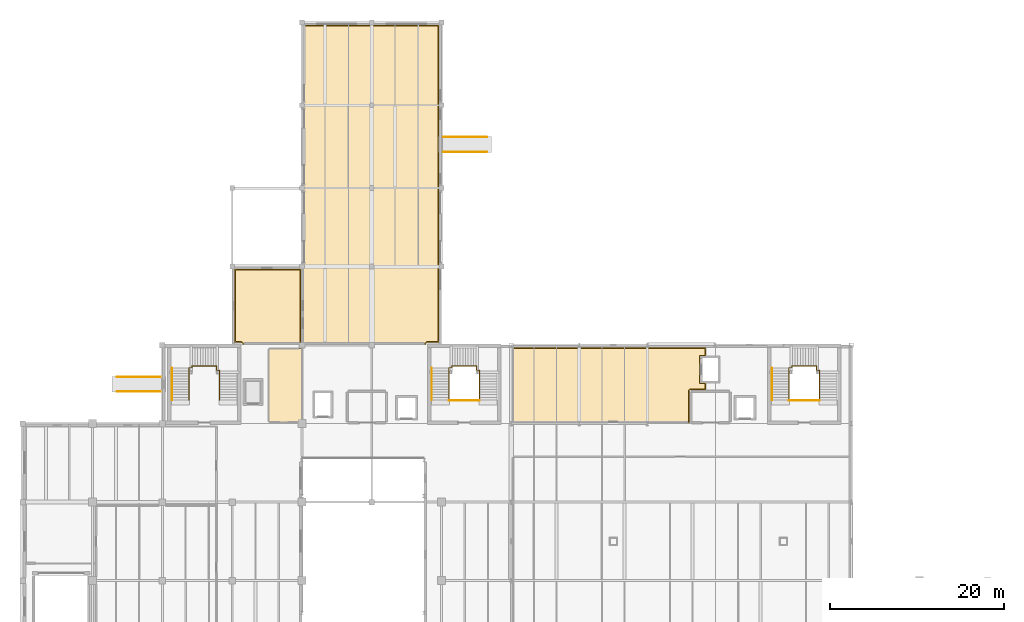
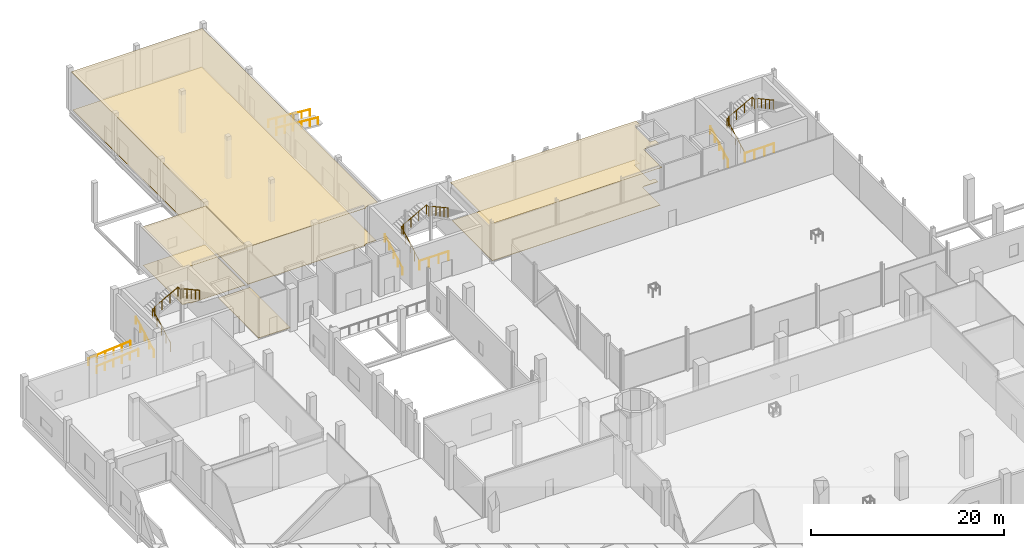
# One storey, part 55 of 57: 12 railings, 7 coverings.
"""IFC4 building model written with IfcOpenShell, lengths in metres."""

import ifcopenshell
import ifcopenshell.guid

model = None  # the IFC model being written
_history = None  # IfcOwnerHistory: only IFC2X3 demands one
_inside = {}  # id of a spatial element -> (the spatial element, [elements in it])
_under = {}  # id of a project, library or spatial element -> (it, [spatial elements below it])
_declared = {}  # id of a project -> (the project, [libraries it declares])
_typed = {}  # id of a type object -> (the type object, [elements of that type])
_made_of = {}  # id of a material, layer set ... -> (it, [elements and type objects made of it])


def new_model(schema):
    """Start an empty IFC model of exactly this schema.

    Asked for "IFC4X3", IfcOpenShell would pick the latest addendum, in which some entities
    have other attributes; the version numbers below select the first issue.
    IFC2X3 requires an IfcOwnerHistory on every rooted entity: one is made here for all.
    """
    global model, _history
    if schema == "IFC4X3":
        model = ifcopenshell.file(schema_version=(4, 3, 0, 0))
    else:
        model = ifcopenshell.file(schema=schema)
    _inside.clear()
    _under.clear()
    _declared.clear()
    _typed.clear()
    _made_of.clear()
    _history = None
    if model.schema == "IFC2X3":
        org = make("IfcOrganization", Name="unknown")
        user = make(
            "IfcPersonAndOrganization",
            ThePerson=make("IfcPerson", FamilyName="unknown"),
            TheOrganization=org,
        )
        app = make(
            "IfcApplication",
            ApplicationDeveloper=org,
            Version="unknown",
            ApplicationFullName="unknown",
            ApplicationIdentifier="unknown",
        )
        _history = make(
            "IfcOwnerHistory",
            OwningUser=user,
            OwningApplication=app,
            ChangeAction="ADDED",
            CreationDate=0,
        )
    return model


def make(cls, **values):
    """One entity of the class cls with the attributes given. An attribute that is None is left unset."""
    return model.create_entity(
        cls, **{name: value for name, value in values.items() if value is not None}
    )


def rooted(cls, **values):
    """An entity with a GlobalId (a new one), such as an element, a storey or a relation."""
    return make(cls, GlobalId=ifcopenshell.guid.new(), OwnerHistory=_history, **values)


def si_unit(unit_type, name, prefix=None):
    """IfcSIUnit, for example si_unit("LENGTHUNIT", "METRE", prefix="MILLI")."""
    return make("IfcSIUnit", UnitType=unit_type, Prefix=prefix, Name=name)


def derived_unit(unit_type, elements):
    """IfcDerivedUnit: a product of units, each with its exponent."""
    return make(
        "IfcDerivedUnit",
        Elements=[
            make("IfcDerivedUnitElement", Unit=unit, Exponent=power)
            for unit, power in elements
        ],
        UnitType=unit_type,
    )


def assignment(units):
    """IfcUnitAssignment: the units of a project."""
    return None if units is None else make("IfcUnitAssignment", Units=units)


def point(xyz):
    """IfcCartesianPoint."""
    return None if xyz is None else make("IfcCartesianPoint", Coordinates=xyz)


def direction(xyz):
    """IfcDirection."""
    return None if xyz is None else make("IfcDirection", DirectionRatios=xyz)


def frame(location, z_axis=None, x_axis=None):
    """IfcAxis2Placement3D, a coordinate frame: its origin and axes. An axis left out is left unset."""
    return make(
        "IfcAxis2Placement3D",
        Location=point(location),
        Axis=direction(z_axis),
        RefDirection=direction(x_axis),
    )


def frame_2d(location, x_axis=None):
    """IfcAxis2Placement2D, a coordinate frame in the plane: its origin and x axis."""
    return make(
        "IfcAxis2Placement2D", Location=point(location), RefDirection=direction(x_axis)
    )


def origin():
    """The frame at (0, 0, 0) with its axes left unset."""
    return frame((0.0, 0.0, 0.0))


def origin_2d():
    """The frame at (0, 0) in the plane with its x axis left unset."""
    return frame_2d((0.0, 0.0))


def place(relative_to, where):
    """IfcLocalPlacement: puts the frame where relative to a parent placement (None: the world)."""
    return make(
        "IfcLocalPlacement", PlacementRelTo=relative_to, RelativePlacement=where
    )


def context(
    kind, dimensions, precision=None, world=None, true_north=None, identifier=None
):
    """IfcGeometricRepresentationContext, for example the 3D "Model" context."""
    return make(
        "IfcGeometricRepresentationContext",
        ContextIdentifier=identifier,
        ContextType=kind,
        CoordinateSpaceDimension=dimensions,
        Precision=precision,
        WorldCoordinateSystem=world,
        TrueNorth=true_north,
    )


def subcontext(parent, identifier, kind, view, scale=None):
    """IfcGeometricRepresentationSubContext, for example "Body" below "Model"."""
    return make(
        "IfcGeometricRepresentationSubContext",
        ContextIdentifier=identifier,
        ContextType=kind,
        ParentContext=parent,
        TargetScale=scale,
        TargetView=view,
    )


def project(units=None, contexts=None):
    """IfcProject with its units and contexts."""
    return rooted(
        "IfcProject",
        Name="project",
        RepresentationContexts=contexts,
        UnitsInContext=assignment(units),
    )


def spatial(cls, under=None, at=None, **own):
    """A site, building, storey or space (cls), placed at a placement, below another one or the project."""
    s = rooted(cls, ObjectPlacement=at, **own)
    if under is not None:
        _under.setdefault(under.id(), (under, []))[1].append(s)
    return s


def polyline(points):
    """IfcPolyline through the points."""
    return make("IfcPolyline", Points=[point(p) for p in points])


def profile(cls, at=None, kind="AREA", **sizes):
    """A parametric profile (cls). Its sizes go by their IFC names, for example OverallWidth=200.0."""
    return make(cls, ProfileType=kind, Position=at, **sizes)


def circle(**sizes):
    """IfcCircleProfileDef."""
    return profile("IfcCircleProfileDef", **sizes)


def outline(outer, holes=None, kind="AREA"):
    """IfcArbitraryClosedProfileDef: a profile drawn as a closed curve; with holes, ...WithVoids."""
    if holes is None:
        return make("IfcArbitraryClosedProfileDef", ProfileType=kind, OuterCurve=outer)
    return make(
        "IfcArbitraryProfileDefWithVoids",
        ProfileType=kind,
        OuterCurve=outer,
        InnerCurves=holes,
    )


def extrude(swept, where, along, depth):
    """IfcExtrudedAreaSolid: the profile swept, set in the frame where, extruded along a direction by depth."""
    return make(
        "IfcExtrudedAreaSolid",
        SweptArea=swept,
        Position=where,
        ExtrudedDirection=direction(along),
        Depth=depth,
    )


def shape(context_of_items, identifier, shape_type, items):
    """IfcShapeRepresentation: the items that make up one representation, for example the "Body"."""
    return make(
        "IfcShapeRepresentation",
        ContextOfItems=context_of_items,
        RepresentationIdentifier=identifier,
        RepresentationType=shape_type,
        Items=items,
    )


def material(Name=None, Category=None):
    """IfcMaterial."""
    return make("IfcMaterial", Name=Name, Category=Category)


def layer(
    of_material, thickness, ventilated=None, Name=None, Category=None, Priority=None
):
    """IfcMaterialLayer: one layer of a wall or slab, of a material (None: an air gap)."""
    return make(
        "IfcMaterialLayer",
        Material=of_material,
        LayerThickness=thickness,
        IsVentilated=ventilated,
        Name=Name,
        Category=Category,
        Priority=Priority,
    )


def layer_set(layers, Name=None):
    """IfcMaterialLayerSet."""
    return make("IfcMaterialLayerSet", MaterialLayers=layers, LayerSetName=Name)


def made_of(thing, what):
    """Note that an element or type object is made of a material, layer set ...; save() writes the relation."""
    if what is not None:
        _made_of.setdefault(what.id(), (what, []))[1].append(thing)
    return thing


def type_object(cls, material=None, **own):
    """A type object (cls), such as IfcWallType, which elements share."""
    return made_of(rooted(cls, **own), material)


def element(
    cls,
    number,
    at=None,
    inside=None,
    cuts=None,
    type_object=None,
    material=None,
    context=None,
    identifier="Body",
    shape_type=None,
    held_by="IfcProductDefinitionShape",
    body=None,
    shapes=None,
    **own,
):
    """One element of the class cls, such as IfcWall. Its Tag is "e" and its number.

    at: its placement. inside: the storey or other place that contains it. cuts: it is an
    opening in that element (IfcRelVoidsElement). A single representation is given by context,
    identifier, shape_type and body (its items); several are given by shapes. held_by: the class
    of the entity that holds the representations. save() writes the other relations.
    """
    e = rooted(cls, Tag="e%d" % number, ObjectPlacement=at, **own)
    if body is not None:
        shapes = [shape(context, identifier, shape_type, body)]
    if shapes is not None:
        e.Representation = make(held_by, Representations=shapes)
    if inside is not None:
        _inside.setdefault(inside.id(), (inside, []))[1].append(e)
    if cuts is not None:
        rooted(
            "IfcRelVoidsElement", RelatingBuildingElement=cuts, RelatedOpeningElement=e
        )
    if type_object is not None:
        _typed.setdefault(type_object.id(), (type_object, []))[1].append(e)
    return made_of(e, material)


def aggregate(whole, parts):
    """IfcRelAggregates: a whole, such as a stair, and the parts it consists of."""
    return rooted("IfcRelAggregates", RelatingObject=whole, RelatedObjects=parts)


def save(model, path):
    """Write the relations noted so far, then the file.

    IfcRelAggregates (storeys below a building ...), IfcRelContainedInSpatialStructure (elements
    in a storey), IfcRelDefinesByType, IfcRelAssociatesMaterial and IfcRelDeclares: one each for
    every whole, place, type object, material and project.
    """
    for whole, parts in _under.values():
        aggregate(whole, parts)
    for where, things in _inside.values():
        rooted(
            "IfcRelContainedInSpatialStructure",
            RelatedElements=things,
            RelatingStructure=where,
        )
    for kind, things in _typed.values():
        rooted("IfcRelDefinesByType", RelatedObjects=things, RelatingType=kind)
    for what, things in _made_of.values():
        rooted("IfcRelAssociatesMaterial", RelatedObjects=things, RelatingMaterial=what)
    for by, libraries in _declared.values():
        rooted("IfcRelDeclares", RelatingContext=by, RelatedDefinitions=libraries)
    model.write(path)


model = new_model("IFC4")

# Units and contexts
model_context = context("Model", 3, precision=1e-05, world=origin(), true_north=direction((0.0, 1.0)))
body_context = subcontext(model_context, "Body", "Model", "MODEL_VIEW")
ifc_project = project(units=[si_unit("LENGTHUNIT", "METRE"), si_unit("AREAUNIT", "SQUARE_METRE"), si_unit("VOLUMEUNIT", "CUBIC_METRE"), si_unit("PLANEANGLEUNIT", "RADIAN"), si_unit("MASSUNIT", "GRAM", prefix="KILO"), derived_unit("THERMALTRANSMITTANCEUNIT", [(si_unit("POWERUNIT", "WATT"), 1), (si_unit("LENGTHUNIT", "METRE"), -2), (si_unit("THERMODYNAMICTEMPERATUREUNIT", "KELVIN"), -1)])], contexts=[model_context])

# Site, building, storey
site_placement = place(None, origin())
site = spatial("IfcSite", under=ifc_project, at=site_placement, CompositionType="ELEMENT")
building_placement = place(site_placement, origin())
building = spatial("IfcBuilding", under=site, at=building_placement, Name="Nallur Shell Playhouse", CompositionType="ELEMENT")
storey_placement = place(building_placement, origin())
storey = spatial("IfcBuildingStorey", under=building, at=storey_placement, Name="L01", CompositionType="ELEMENT", Elevation=0.0)

# Coverings
ifc_material_1 = material(Name="Micro-Perforated Teak Veneer Acoustic Baffle Ceiling")
ifc_layer_1 = layer(ifc_material_1, 0.044921875)
ifc_layer_set_1 = layer_set([ifc_layer_1], Name="Micro-Perforated Teak Veneer Acoustic Baffle Ceiling")
covering_type_1 = type_object("IfcCoveringType", Name="CV-CEIL-AC1", PredefinedType="CEILING", material=ifc_layer_set_1)
covering_1_placement = place(storey_placement, frame((0.0, 0.0, 4.804931640625)))
element("IfcCovering", 1, at=covering_1_placement, inside=storey, type_object=covering_type_1, Name="Carpentry & Timber Mill Workshop suspended acoustic ceiling", PredefinedType="CEILING", context=body_context, shape_type="SweptSolid", body=[
    extrude(outline(polyline([(54.3291015625, 83.276123046875), (54.324951171875, 83.2744140625), (54.312255859375, 83.268310546875), (54.308349609375, 83.266357421875), (54.29638671875, 83.25927734375), (54.292724609375, 83.2568359375), (54.28125, 83.248046875), (54.277587890625, 83.2451171875), (54.26708984375, 83.23583984375), (54.26416015625, 83.23291015625), (54.2548828125, 83.222412109375), (54.251953125, 83.21875), (54.2431640625, 83.207275390625), (54.24072265625, 83.20361328125), (54.233642578125, 83.191650390625), (54.231689453125, 83.187744140625), (54.2255859375, 83.175048828125), (54.223876953125, 83.170654296875), (54.194580078125, 83.090087890625), (39.989990234375, 83.090087890625), (39.989990234375, 91.9443359375), (40.023193359375, 91.98095703125), (40.02490234375, 91.983642578125), (40.0263671875, 91.98583984375), (40.027587890625, 91.988525390625), (40.028564453125, 91.991455078125), (40.029296875, 91.993896484375), (40.02978515625, 91.9970703125), (40.030029296875, 92.002685546875), (40.030029296875, 119.7099609375), (55.7099609375, 119.7099609375), (55.7099609375, 83.2900390625), (54.401123046875, 83.2900390625), (54.39892578125, 83.2900390625), (54.38330078125, 83.289306640625), (54.37890625, 83.288818359375), (54.364990234375, 83.28662109375), (54.36083984375, 83.285888671875), (54.347412109375, 83.282470703125), (54.34326171875, 83.281005859375), (54.3291015625, 83.276123046875)])), origin(), (0.0, 0.0, 1.0), 0.045166015625),
])
ifc_material_2 = material(Name="Mineral-Fibre High-NRC Suspended Ceiling Tile")
ifc_layer_2 = layer(ifc_material_2, 0.030029296875)
ifc_layer_set_2 = layer_set([ifc_layer_2], Name="Mineral-Fibre High-NRC Suspended Ceiling Tile")
covering_type_2 = type_object("IfcCoveringType", Name="CV-CEIL-AC2", PredefinedType="CEILING", material=ifc_layer_set_2)
covering_2_placement = place(storey_placement, frame((0.0, 0.0, 4.820068359375)))
element("IfcCovering", 2, at=covering_2_placement, inside=storey, type_object=covering_type_2, Name="Double-Height Scenery Assembly Hall suspended acoustic ceiling", PredefinedType="CEILING", context=body_context, shape_type="SweptSolid", body=[
    extrude(outline(polyline([(84.59912109375, 77.8701171875), (84.585205078125, 77.869384765625), (84.580810546875, 77.868896484375), (84.569580078125, 77.8671875), (84.56494140625, 77.8662109375), (84.552978515625, 77.86328125), (84.548583984375, 77.86181640625), (84.537109375, 77.85791015625), (84.533447265625, 77.856201171875), (84.521728515625, 77.850830078125), (84.517822265625, 77.8486328125), (84.50732421875, 77.84228515625), (84.50341796875, 77.83984375), (84.494384765625, 77.8330078125), (84.490966796875, 77.830078125), (84.4814453125, 77.821533203125), (84.478515625, 77.818603515625), (84.4697265625, 77.80908203125), (84.466796875, 77.8056640625), (84.460205078125, 77.796630859375), (84.457763671875, 77.792724609375), (84.451416015625, 77.7822265625), (84.44921875, 77.7783203125), (84.443603515625, 77.7666015625), (84.442138671875, 77.7626953125), (84.43798828125, 77.75146484375), (84.436767578125, 77.7470703125), (84.433837890625, 77.735107421875), (84.432861328125, 77.73046875), (84.43115234375, 77.71923828125), (84.4306640625, 77.714599609375), (84.429931640625, 77.700927734375), (84.429931640625, 77.698974609375), (84.429931640625, 74.090087890625), (64.090087890625, 74.090087890625), (64.090087890625, 82.7099609375), (86.31005859375, 82.7099609375), (86.31005859375, 81.7099609375), (85.68994140625, 81.7099609375), (85.68994140625, 78.68994140625), (86.31005859375, 78.68994140625), (86.31005859375, 77.8701171875), (84.60107421875, 77.8701171875), (84.59912109375, 77.8701171875)])), origin(), (0.0, 0.0, 1.0), 0.030029296875),
])
covering_3_placement = place(storey_placement, frame((0.0, 0.0, 4.820068359375)))
element("IfcCovering", 3, at=covering_3_placement, inside=storey, type_object=covering_type_2, Name="Scenic Paint Frame & Spray Booth Hall suspended acoustic ceiling", PredefinedType="CEILING", context=body_context, shape_type="SweptSolid", body=[
    extrude(outline(polyline([(33.15673828125, 83.207275390625), (33.148193359375, 83.21875), (33.145263671875, 83.222412109375), (33.1357421875, 83.23291015625), (33.1328125, 83.23583984375), (33.122314453125, 83.2451171875), (33.11865234375, 83.248046875), (33.107177734375, 83.2568359375), (33.103515625, 83.25927734375), (33.091552734375, 83.266357421875), (33.087646484375, 83.268310546875), (33.074951171875, 83.2744140625), (33.071044921875, 83.276123046875), (33.056884765625, 83.281005859375), (33.052490234375, 83.282470703125), (33.039306640625, 83.285888671875), (33.034912109375, 83.28662109375), (33.02099609375, 83.288818359375), (33.0166015625, 83.289306640625), (33.0009765625, 83.2900390625), (32.998779296875, 83.2900390625), (32.2900390625, 83.2900390625), (32.2900390625, 91.7099609375), (39.909912109375, 91.7099609375), (39.909912109375, 83.090087890625), (33.20556640625, 83.090087890625), (33.17626953125, 83.170654296875), (33.174560546875, 83.175048828125), (33.16845703125, 83.187744140625), (33.16650390625, 83.191650390625), (33.1591796875, 83.20361328125), (33.15673828125, 83.207275390625)])), origin(), (0.0, 0.0, 1.0), 0.030029296875),
])
ifc_material_3 = material(Name="Polished Chettinad Oxide & White Marble Terrazzo Flooring", Category="masonry")
ifc_layer_3 = layer(ifc_material_3, 0.050048828125)
ifc_layer_set_3 = layer_set([ifc_layer_3], Name="Polished Chettinad Oxide & White Marble Terrazzo Flooring")
covering_type_3 = type_object("IfcCoveringType", Name="CV-FLOR-TERRAZZO", PredefinedType="FLOORING", material=ifc_layer_set_3)
covering_4_placement = place(storey_placement, origin())
element("IfcCovering", 4, at=covering_4_placement, inside=storey, type_object=covering_type_3, Name="Double-Height Scenery Assembly Hall floor finish", PredefinedType="FLOORING", context=body_context, shape_type="SweptSolid", body=[
    extrude(outline(polyline([(85.6328125, 81.80810546875), (85.62451171875, 81.802978515625), (85.61669921875, 81.79736328125), (85.609375, 81.790771484375), (85.602783203125, 81.783447265625), (85.596923828125, 81.775634765625), (85.591796875, 81.76708984375), (85.587646484375, 81.75830078125), (85.584228515625, 81.7490234375), (85.581787109375, 81.739501953125), (85.58056640625, 81.729736328125), (85.580078125, 81.719970703125), (85.580078125, 78.679931640625), (85.58056640625, 78.670166015625), (85.581787109375, 78.660400390625), (85.584228515625, 78.65087890625), (85.587646484375, 78.6416015625), (85.591796875, 78.6328125), (85.596923828125, 78.62451171875), (85.602783203125, 78.61669921875), (85.609375, 78.609375), (85.61669921875, 78.602783203125), (85.62451171875, 78.596923828125), (85.6328125, 78.591796875), (85.6416015625, 78.587646484375), (85.65087890625, 78.584228515625), (85.660400390625, 78.581787109375), (85.670166015625, 78.58056640625), (85.679931640625, 78.580078125), (86.199951171875, 78.580078125), (86.199951171875, 77.97998046875), (84.60009765625, 77.97998046875), (84.59521484375, 77.97998046875), (84.577392578125, 77.97900390625), (84.567626953125, 77.97802734375), (84.55029296875, 77.9755859375), (84.54052734375, 77.973388671875), (84.5234375, 77.96923828125), (84.51416015625, 77.96630859375), (84.497314453125, 77.96044921875), (84.48828125, 77.956787109375), (84.472412109375, 77.94921875), (84.463623046875, 77.944580078125), (84.448486328125, 77.935302734375), (84.4404296875, 77.929931640625), (84.42626953125, 77.91943359375), (84.418701171875, 77.9130859375), (84.405517578125, 77.9013671875), (84.398681640625, 77.894287109375), (84.38671875, 77.88134765625), (84.380615234375, 77.873779296875), (84.3701171875, 77.859619140625), (84.364501953125, 77.851318359375), (84.35546875, 77.836181640625), (84.350830078125, 77.82763671875), (84.34326171875, 77.8115234375), (84.339599609375, 77.802490234375), (84.33349609375, 77.785888671875), (84.330810546875, 77.776611328125), (84.326416015625, 77.759521484375), (84.324462890625, 77.749755859375), (84.322021484375, 77.732421875), (84.321044921875, 77.722412109375), (84.320068359375, 77.704833984375), (84.320068359375, 77.699951171875), (84.320068359375, 74.199951171875), (64.199951171875, 74.199951171875), (64.199951171875, 82.60009765625), (86.199951171875, 82.60009765625), (86.199951171875, 81.820068359375), (85.679931640625, 81.820068359375), (85.670166015625, 81.819580078125), (85.660400390625, 81.818115234375), (85.65087890625, 81.815673828125), (85.6416015625, 81.8125), (85.6328125, 81.80810546875)])), origin(), (0.0, 0.0, 1.0), 0.050048828125),
])
covering_5_placement = place(storey_placement, origin())
element("IfcCovering", 5, at=covering_5_placement, inside=storey, type_object=covering_type_3, Name="Carpentry & Timber Mill Workshop floor finish", PredefinedType="FLOORING", context=body_context, shape_type="SweptSolid", body=[
    extrude(outline(polyline([(54.289794921875, 83.37890625), (54.28076171875, 83.375244140625), (54.262939453125, 83.36669921875), (54.25439453125, 83.3623046875), (54.237548828125, 83.35205078125), (54.229248046875, 83.3466796875), (54.213623046875, 83.3349609375), (54.2060546875, 83.32861328125), (54.19140625, 83.3154296875), (54.1845703125, 83.30859375), (54.17138671875, 83.2939453125), (54.1650390625, 83.286376953125), (54.1533203125, 83.270751953125), (54.14794921875, 83.262451171875), (54.1376953125, 83.24560546875), (54.13330078125, 83.237060546875), (54.124755859375, 83.21923828125), (54.12109375, 83.210205078125), (54.117431640625, 83.199951171875), (40.10009765625, 83.199951171875), (40.10009765625, 91.902099609375), (40.108154296875, 91.9111328125), (40.116455078125, 91.922119140625), (40.12353515625, 91.93408203125), (40.12939453125, 91.9462890625), (40.134033203125, 91.95947265625), (40.13720703125, 91.97265625), (40.139404296875, 91.986328125), (40.139892578125, 92.0), (40.139892578125, 119.60009765625), (55.60009765625, 119.60009765625), (55.60009765625, 83.39990234375), (54.39990234375, 83.39990234375), (54.39501953125, 83.39990234375), (54.37548828125, 83.39892578125), (54.36572265625, 83.39794921875), (54.34619140625, 83.39501953125), (54.336669921875, 83.393310546875), (54.317626953125, 83.388427734375), (54.308349609375, 83.385498046875), (54.289794921875, 83.37890625)])), origin(), (0.0, 0.0, 1.0), 0.050048828125),
])
covering_6_placement = place(storey_placement, origin())
element("IfcCovering", 6, at=covering_6_placement, inside=storey, type_object=covering_type_3, Name="Scenic Paint Frame & Spray Booth Hall floor finish", PredefinedType="FLOORING", context=body_context, shape_type="SweptSolid", body=[
    extrude(outline(polyline([(33.24658203125, 83.270751953125), (33.23486328125, 83.286376953125), (33.228759765625, 83.2939453125), (33.215576171875, 83.30859375), (33.20849609375, 83.3154296875), (33.194091796875, 83.32861328125), (33.186279296875, 83.3349609375), (33.170654296875, 83.3466796875), (33.16259765625, 83.35205078125), (33.145751953125, 83.3623046875), (33.136962890625, 83.36669921875), (33.119384765625, 83.375244140625), (33.110107421875, 83.37890625), (33.091796875, 83.385498046875), (33.08251953125, 83.388427734375), (33.063232421875, 83.393310546875), (33.0537109375, 83.39501953125), (33.0341796875, 83.39794921875), (33.0244140625, 83.39892578125), (33.0048828125, 83.39990234375), (33.0, 83.39990234375), (32.39990234375, 83.39990234375), (32.39990234375, 91.60009765625), (39.800048828125, 91.60009765625), (39.800048828125, 83.199951171875), (33.28271484375, 83.199951171875), (33.27880859375, 83.210205078125), (33.275146484375, 83.21923828125), (33.266845703125, 83.237060546875), (33.26220703125, 83.24560546875), (33.252197265625, 83.262451171875), (33.24658203125, 83.270751953125)])), origin(), (0.0, 0.0, 1.0), 0.050048828125),
])
covering_7_placement = place(storey_placement, origin())
element("IfcCovering", 7, at=covering_7_placement, inside=storey, type_object=covering_type_3, Name="Backstage Crew Restrooms & Showers floor finish", PredefinedType="FLOORING", context=body_context, shape_type="SweptSolid", body=[
    extrude(outline(polyline([(40.0, 74.199951171875), (36.199951171875, 74.199951171875), (36.199951171875, 82.60009765625), (40.0, 82.60009765625), (40.0, 74.199951171875)])), origin(), (0.0, 0.0, 1.0), 0.050048828125),
])

# Railings
ifc_material_4 = material(Name="Brushed Stainless Steel 316 Balustrade & Toughened Infill", Category="steel")
railing_type_1 = type_object("IfcRailingType", Name="RL-GUARD-1100", PredefinedType="BALUSTRADE", material=ifc_material_4)
railing_1_placement = place(storey_placement, frame((56.860107421875, 76.699951171875, 0.0)))
element("IfcRailing", 8, at=railing_1_placement, inside=storey, type_object=railing_type_1, Name="Stair ST-03-L01 inner open-well guard", PredefinedType="BALUSTRADE", context=body_context, shape_type="SweptSolid", body=[
    extrude(circle(Radius=0.02392578125, at=origin_2d()), frame((0.0, 0.0, 1.15576171875), z_axis=(0.0, 0.879145147203, 0.476554099919), x_axis=(-1.0, 0.0, 0.0)), (0.0, 0.0, 1.0), 4.20849609375),
    extrude(circle(Radius=0.02392578125, at=origin_2d()), frame((0.0, 3.699951171875, 3.16162109375), z_axis=(1.0, 0.0, 0.0), x_axis=(0.0, 1.0, 0.0)), (0.0, 0.0, 1.0), 0.327392578125),
    extrude(circle(Radius=0.02392578125, at=origin_2d()), frame((0.327392578125, 3.699951171875, 3.16162109375), z_axis=(0.0, 1.0, 0.0), x_axis=(-1.0, 0.0, 0.0)), (0.0, 0.0, 1.0), 0.2001953125),
    extrude(circle(Radius=0.02392578125, at=origin_2d()), frame((0.327392578125, 3.900146484375, 3.16162109375), z_axis=(0.877622962151, 0.0, 0.479351579016), x_axis=(0.0, 1.0, 0.0)), (0.0, 0.0, 1.0), 3.21875),
    extrude(circle(Radius=0.02392578125, at=origin_2d()), frame((3.15234375, 3.900146484375, 4.70458984375), z_axis=(0.0, -1.0, 0.0), x_axis=(1.0, 0.0, 0.0)), (0.0, 0.0, 1.0), 0.505126953125),
    extrude(circle(Radius=0.02392578125, at=origin_2d()), frame((3.15234375, 3.39501953125, 4.70458984375), z_axis=(1.0, 0.0, 0.0), x_axis=(0.0, 1.0, 0.0)), (0.0, 0.0, 1.0), 0.32763671875),
    extrude(circle(Radius=0.02392578125, at=origin_2d()), frame((3.47998046875, 3.39501953125, 4.70458984375), z_axis=(0.0, -0.877951061209, 0.478750388117), x_axis=(1.0, 0.0, 0.0)), (0.0, 0.0, 1.0), 3.866943359375),
    extrude(circle(Radius=0.02099609375, at=origin_2d()), origin(), (0.0, 0.0, 1.0), 1.1318359375),
    extrude(circle(Radius=0.02099609375, at=origin_2d()), frame((0.0, 0.925048828125, 0.50146484375)), (0.0, 0.0, 1.0), 1.1318359375),
    extrude(circle(Radius=0.02099609375, at=origin_2d()), frame((0.0, 1.85009765625, 1.0029296875)), (0.0, 0.0, 1.0), 1.1318359375),
    extrude(circle(Radius=0.02099609375, at=origin_2d()), frame((0.0, 2.77490234375, 1.504150390625)), (0.0, 0.0, 1.0), 1.1318359375),
    extrude(circle(Radius=0.02099609375, at=origin_2d()), frame((0.0, 3.699951171875, 2.005615234375)), (0.0, 0.0, 1.0), 1.1318359375),
    extrude(circle(Radius=0.02099609375, at=origin_2d()), frame((0.327392578125, 3.699951171875, 2.005615234375)), (0.0, 0.0, 1.0), 1.1318359375),
    extrude(circle(Radius=0.02099609375, at=origin_2d()), frame((0.327392578125, 3.900146484375, 2.005615234375)), (0.0, 0.0, 1.0), 1.1318359375),
    extrude(circle(Radius=0.02099609375, at=origin_2d()), frame((1.26904296875, 3.900146484375, 2.52001953125)), (0.0, 0.0, 1.0), 1.1318359375),
    extrude(circle(Radius=0.02099609375, at=origin_2d()), frame((2.210693359375, 3.900146484375, 3.0341796875)), (0.0, 0.0, 1.0), 1.1318359375),
    extrude(circle(Radius=0.02099609375, at=origin_2d()), frame((3.15234375, 3.900146484375, 3.548583984375)), (0.0, 0.0, 1.0), 1.1318359375),
    extrude(circle(Radius=0.02099609375, at=origin_2d()), frame((3.15234375, 3.39501953125, 3.548583984375)), (0.0, 0.0, 1.0), 1.1318359375),
    extrude(circle(Radius=0.02099609375, at=origin_2d()), frame((3.47998046875, 3.39501953125, 3.548583984375)), (0.0, 0.0, 1.0), 1.1318359375),
    extrude(circle(Radius=0.02099609375, at=origin_2d()), frame((3.47998046875, 2.54638671875, 4.011474609375)), (0.0, 0.0, 1.0), 1.1318359375),
    extrude(circle(Radius=0.02099609375, at=origin_2d()), frame((3.47998046875, 1.697509765625, 4.47412109375)), (0.0, 0.0, 1.0), 1.1318359375),
    extrude(circle(Radius=0.02099609375, at=origin_2d()), frame((3.47998046875, 0.8486328125, 4.93701171875)), (0.0, 0.0, 1.0), 1.1318359375),
    extrude(circle(Radius=0.02099609375, at=origin_2d()), frame((3.47998046875, 0.0, 5.39990234375)), (0.0, 0.0, 1.0), 1.1318359375),
])
railing_2_placement = place(storey_placement, frame((56.860107421875, 76.639892578125, 0.0)))
element("IfcRailing", 9, at=railing_2_placement, inside=storey, type_object=railing_type_1, Name="Stair ST-03-L01 floor-well guard", PredefinedType="BALUSTRADE", context=body_context, shape_type="SweptSolid", body=[
    extrude(circle(Radius=0.02392578125, at=origin_2d()), frame((0.0, 0.0, 1.09619140625), z_axis=(1.0, 0.0, 0.0), x_axis=(0.0, 1.0, 0.0)), (0.0, 0.0, 1.0), 3.47998046875),
    extrude(circle(Radius=0.02099609375, at=origin_2d()), origin(), (0.0, 0.0, 1.0), 1.072021484375),
    extrude(circle(Radius=0.02099609375, at=origin_2d()), frame((1.159912109375, 0.0, 0.0)), (0.0, 0.0, 1.0), 1.072021484375),
    extrude(circle(Radius=0.02099609375, at=origin_2d()), frame((2.320068359375, 0.0, 0.0)), (0.0, 0.0, 1.0), 1.072021484375),
    extrude(circle(Radius=0.02099609375, at=origin_2d()), frame((3.47998046875, 0.0, 0.0)), (0.0, 0.0, 1.0), 1.072021484375),
])
railing_3_placement = place(storey_placement, frame((95.860107421875, 76.699951171875, 0.0)))
element("IfcRailing", 10, at=railing_3_placement, inside=storey, type_object=railing_type_1, Name="Stair ST-04-L01 inner open-well guard", PredefinedType="BALUSTRADE", context=body_context, shape_type="SweptSolid", body=[
    extrude(circle(Radius=0.02392578125, at=origin_2d()), frame((0.0, 0.0, 1.15576171875), z_axis=(0.0, 0.879145147203, 0.476554099919), x_axis=(-1.0, 0.0, 0.0)), (0.0, 0.0, 1.0), 4.20849609375),
    extrude(circle(Radius=0.02392578125, at=origin_2d()), frame((0.0, 3.699951171875, 3.16162109375), z_axis=(1.0, 0.0, 0.0), x_axis=(0.0, 1.0, 0.0)), (0.0, 0.0, 1.0), 0.327392578125),
    extrude(circle(Radius=0.02392578125, at=origin_2d()), frame((0.327392578125, 3.699951171875, 3.16162109375), z_axis=(0.0, 1.0, 0.0), x_axis=(-1.0, 0.0, 0.0)), (0.0, 0.0, 1.0), 0.2001953125),
    extrude(circle(Radius=0.02392578125, at=origin_2d()), frame((0.327392578125, 3.900146484375, 3.16162109375), z_axis=(0.877622962151, 0.0, 0.479351579016), x_axis=(0.0, 1.0, 0.0)), (0.0, 0.0, 1.0), 3.21875),
    extrude(circle(Radius=0.02392578125, at=origin_2d()), frame((3.15234375, 3.900146484375, 4.70458984375), z_axis=(0.0, -1.0, 0.0), x_axis=(1.0, 0.0, 0.0)), (0.0, 0.0, 1.0), 0.505126953125),
    extrude(circle(Radius=0.02392578125, at=origin_2d()), frame((3.15234375, 3.39501953125, 4.70458984375), z_axis=(1.0, 0.0, 0.0), x_axis=(0.0, 1.0, 0.0)), (0.0, 0.0, 1.0), 0.32763671875),
    extrude(circle(Radius=0.02392578125, at=origin_2d()), frame((3.47998046875, 3.39501953125, 4.70458984375), z_axis=(0.0, -0.877951061209, 0.478750388117), x_axis=(1.0, 0.0, 0.0)), (0.0, 0.0, 1.0), 3.866943359375),
    extrude(circle(Radius=0.02099609375, at=origin_2d()), origin(), (0.0, 0.0, 1.0), 1.1318359375),
    extrude(circle(Radius=0.02099609375, at=origin_2d()), frame((0.0, 0.925048828125, 0.50146484375)), (0.0, 0.0, 1.0), 1.1318359375),
    extrude(circle(Radius=0.02099609375, at=origin_2d()), frame((0.0, 1.85009765625, 1.0029296875)), (0.0, 0.0, 1.0), 1.1318359375),
    extrude(circle(Radius=0.02099609375, at=origin_2d()), frame((0.0, 2.77490234375, 1.504150390625)), (0.0, 0.0, 1.0), 1.1318359375),
    extrude(circle(Radius=0.02099609375, at=origin_2d()), frame((0.0, 3.699951171875, 2.005615234375)), (0.0, 0.0, 1.0), 1.1318359375),
    extrude(circle(Radius=0.02099609375, at=origin_2d()), frame((0.327392578125, 3.699951171875, 2.005615234375)), (0.0, 0.0, 1.0), 1.1318359375),
    extrude(circle(Radius=0.02099609375, at=origin_2d()), frame((0.327392578125, 3.900146484375, 2.005615234375)), (0.0, 0.0, 1.0), 1.1318359375),
    extrude(circle(Radius=0.02099609375, at=origin_2d()), frame((1.26904296875, 3.900146484375, 2.52001953125)), (0.0, 0.0, 1.0), 1.1318359375),
    extrude(circle(Radius=0.02099609375, at=origin_2d()), frame((2.210693359375, 3.900146484375, 3.0341796875)), (0.0, 0.0, 1.0), 1.1318359375),
    extrude(circle(Radius=0.02099609375, at=origin_2d()), frame((3.15234375, 3.900146484375, 3.548583984375)), (0.0, 0.0, 1.0), 1.1318359375),
    extrude(circle(Radius=0.02099609375, at=origin_2d()), frame((3.15234375, 3.39501953125, 3.548583984375)), (0.0, 0.0, 1.0), 1.1318359375),
    extrude(circle(Radius=0.02099609375, at=origin_2d()), frame((3.47998046875, 3.39501953125, 3.548583984375)), (0.0, 0.0, 1.0), 1.1318359375),
    extrude(circle(Radius=0.02099609375, at=origin_2d()), frame((3.47998046875, 2.54638671875, 4.011474609375)), (0.0, 0.0, 1.0), 1.1318359375),
    extrude(circle(Radius=0.02099609375, at=origin_2d()), frame((3.47998046875, 1.697509765625, 4.47412109375)), (0.0, 0.0, 1.0), 1.1318359375),
    extrude(circle(Radius=0.02099609375, at=origin_2d()), frame((3.47998046875, 0.8486328125, 4.93701171875)), (0.0, 0.0, 1.0), 1.1318359375),
    extrude(circle(Radius=0.02099609375, at=origin_2d()), frame((3.47998046875, 0.0, 5.39990234375)), (0.0, 0.0, 1.0), 1.1318359375),
])
railing_4_placement = place(storey_placement, frame((95.860107421875, 76.639892578125, 0.0)))
element("IfcRailing", 11, at=railing_4_placement, inside=storey, type_object=railing_type_1, Name="Stair ST-04-L01 floor-well guard", PredefinedType="BALUSTRADE", context=body_context, shape_type="SweptSolid", body=[
    extrude(circle(Radius=0.02392578125, at=origin_2d()), frame((0.0, 0.0, 1.09619140625), z_axis=(1.0, 0.0, 0.0), x_axis=(0.0, 1.0, 0.0)), (0.0, 0.0, 1.0), 3.47998046875),
    extrude(circle(Radius=0.02099609375, at=origin_2d()), origin(), (0.0, 0.0, 1.0), 1.072021484375),
    extrude(circle(Radius=0.02099609375, at=origin_2d()), frame((1.159912109375, 0.0, 0.0)), (0.0, 0.0, 1.0), 1.072021484375),
    extrude(circle(Radius=0.02099609375, at=origin_2d()), frame((2.320068359375, 0.0, 0.0)), (0.0, 0.0, 1.0), 1.072021484375),
    extrude(circle(Radius=0.02099609375, at=origin_2d()), frame((3.47998046875, 0.0, 0.0)), (0.0, 0.0, 1.0), 1.072021484375),
])
railing_5_placement = place(storey_placement, frame((27.06005859375, 76.699951171875, 0.0)))
element("IfcRailing", 12, at=railing_5_placement, inside=storey, type_object=railing_type_1, Name="Stair ST-06-L01 inner open-well guard", PredefinedType="BALUSTRADE", context=body_context, shape_type="SweptSolid", body=[
    extrude(circle(Radius=0.02392578125, at=origin_2d()), frame((0.0, 0.0, 1.15576171875), z_axis=(0.0, 0.879145147203, 0.476554099919), x_axis=(-1.0, 0.0, 0.0)), (0.0, 0.0, 1.0), 4.20849609375),
    extrude(circle(Radius=0.02392578125, at=origin_2d()), frame((0.0, 3.699951171875, 3.16162109375), z_axis=(1.0, 0.0, 0.0), x_axis=(0.0, 1.0, 0.0)), (0.0, 0.0, 1.0), 0.327392578125),
    extrude(circle(Radius=0.02392578125, at=origin_2d()), frame((0.327392578125, 3.699951171875, 3.16162109375), z_axis=(0.0, 1.0, 0.0), x_axis=(-1.0, 0.0, 0.0)), (0.0, 0.0, 1.0), 0.2001953125),
    extrude(circle(Radius=0.02392578125, at=origin_2d()), frame((0.327392578125, 3.900146484375, 3.16162109375), z_axis=(0.877622962151, 0.0, 0.479351579016), x_axis=(0.0, 1.0, 0.0)), (0.0, 0.0, 1.0), 3.21875),
    extrude(circle(Radius=0.02392578125, at=origin_2d()), frame((3.15234375, 3.900146484375, 4.70458984375), z_axis=(0.0, -1.0, 0.0), x_axis=(1.0, 0.0, 0.0)), (0.0, 0.0, 1.0), 0.505126953125),
    extrude(circle(Radius=0.02392578125, at=origin_2d()), frame((3.15234375, 3.39501953125, 4.70458984375), z_axis=(1.0, 0.0, 0.0), x_axis=(0.0, 1.0, 0.0)), (0.0, 0.0, 1.0), 0.32763671875),
    extrude(circle(Radius=0.02392578125, at=origin_2d()), frame((3.47998046875, 3.39501953125, 4.70458984375), z_axis=(0.0, -0.877951061209, 0.478750388117), x_axis=(1.0, 0.0, 0.0)), (0.0, 0.0, 1.0), 3.866943359375),
    extrude(circle(Radius=0.02099609375, at=origin_2d()), origin(), (0.0, 0.0, 1.0), 1.1318359375),
    extrude(circle(Radius=0.02099609375, at=origin_2d()), frame((0.0, 0.925048828125, 0.50146484375)), (0.0, 0.0, 1.0), 1.1318359375),
    extrude(circle(Radius=0.02099609375, at=origin_2d()), frame((0.0, 1.85009765625, 1.0029296875)), (0.0, 0.0, 1.0), 1.1318359375),
    extrude(circle(Radius=0.02099609375, at=origin_2d()), frame((0.0, 2.77490234375, 1.504150390625)), (0.0, 0.0, 1.0), 1.1318359375),
    extrude(circle(Radius=0.02099609375, at=origin_2d()), frame((0.0, 3.699951171875, 2.005615234375)), (0.0, 0.0, 1.0), 1.1318359375),
    extrude(circle(Radius=0.02099609375, at=origin_2d()), frame((0.327392578125, 3.699951171875, 2.005615234375)), (0.0, 0.0, 1.0), 1.1318359375),
    extrude(circle(Radius=0.02099609375, at=origin_2d()), frame((0.327392578125, 3.900146484375, 2.005615234375)), (0.0, 0.0, 1.0), 1.1318359375),
    extrude(circle(Radius=0.02099609375, at=origin_2d()), frame((1.26904296875, 3.900146484375, 2.52001953125)), (0.0, 0.0, 1.0), 1.1318359375),
    extrude(circle(Radius=0.02099609375, at=origin_2d()), frame((2.210693359375, 3.900146484375, 3.0341796875)), (0.0, 0.0, 1.0), 1.1318359375),
    extrude(circle(Radius=0.02099609375, at=origin_2d()), frame((3.15234375, 3.900146484375, 3.548583984375)), (0.0, 0.0, 1.0), 1.1318359375),
    extrude(circle(Radius=0.02099609375, at=origin_2d()), frame((3.15234375, 3.39501953125, 3.548583984375)), (0.0, 0.0, 1.0), 1.1318359375),
    extrude(circle(Radius=0.02099609375, at=origin_2d()), frame((3.47998046875, 3.39501953125, 3.548583984375)), (0.0, 0.0, 1.0), 1.1318359375),
    extrude(circle(Radius=0.02099609375, at=origin_2d()), frame((3.47998046875, 2.54638671875, 4.011474609375)), (0.0, 0.0, 1.0), 1.1318359375),
    extrude(circle(Radius=0.02099609375, at=origin_2d()), frame((3.47998046875, 1.697509765625, 4.47412109375)), (0.0, 0.0, 1.0), 1.1318359375),
    extrude(circle(Radius=0.02099609375, at=origin_2d()), frame((3.47998046875, 0.8486328125, 4.93701171875)), (0.0, 0.0, 1.0), 1.1318359375),
    extrude(circle(Radius=0.02099609375, at=origin_2d()), frame((3.47998046875, 0.0, 5.39990234375)), (0.0, 0.0, 1.0), 1.1318359375),
])
ifc_material_5 = material(Name="Stainless Steel 316 Continuous Tubular Handrail", Category="steel")
railing_type_2 = type_object("IfcRailingType", Name="RL-HANDRAIL-900", PredefinedType="HANDRAIL", material=ifc_material_5)
for number, where, name in (
    (13, (18.800048828125, 79.340087890625, -0.433349609375), "Carpentry West Forecourt Accessible Ramp accessible handrail L"),
    (14, (18.800048828125, 77.659912109375, -0.433349609375), "Carpentry West Forecourt Accessible Ramp accessible handrail R"),
):
    element("IfcRailing", number, at=place(storey_placement, frame(where)), inside=storey, type_object=railing_type_2, Name=name, PredefinedType="HANDRAIL", context=body_context, shape_type="SweptSolid", body=[
        extrude(circle(Radius=0.02392578125, at=origin_2d()), frame((0.0, 0.0, 0.89599609375), z_axis=(0.996544415787, 0.0, 0.083061587781), x_axis=(0.0, 1.0, 0.0)), (0.0, 0.0, 1.0), 5.017333984375),
        extrude(circle(Radius=0.02099609375, at=origin_2d()), origin(), (0.0, 0.0, 1.0), 0.871826171875),
        extrude(circle(Radius=0.02099609375, at=origin_2d()), frame((1.0, 0.0, 0.083251953125)), (0.0, 0.0, 1.0), 0.871826171875),
        extrude(circle(Radius=0.02099609375, at=origin_2d()), frame((2.0, 0.0, 0.166748046875)), (0.0, 0.0, 1.0), 0.871826171875),
        extrude(circle(Radius=0.02099609375, at=origin_2d()), frame((3.0, 0.0, 0.25)), (0.0, 0.0, 1.0), 0.871826171875),
        extrude(circle(Radius=0.02099609375, at=origin_2d()), frame((4.0, 0.0, 0.33349609375)), (0.0, 0.0, 1.0), 0.871826171875),
        extrude(circle(Radius=0.02099609375, at=origin_2d()), frame((5.0, 0.0, 0.416748046875)), (0.0, 0.0, 1.0), 0.871826171875),
    ])
for number, where, name in (
    (15, (61.199951171875, 105.159912109375, -0.433349609375), "Paint Yard East Accessible Ramp accessible handrail L"),
    (16, (61.199951171875, 106.840087890625, -0.433349609375), "Paint Yard East Accessible Ramp accessible handrail R"),
):
    element("IfcRailing", number, at=place(storey_placement, frame(where)), inside=storey, type_object=railing_type_2, Name=name, PredefinedType="HANDRAIL", context=body_context, shape_type="SweptSolid", body=[
        extrude(circle(Radius=0.02392578125, at=origin_2d()), frame((0.0, 0.0, 0.89599609375), z_axis=(-0.996544415787, 0.0, 0.083061587781), x_axis=(0.0, -1.0, 0.0)), (0.0, 0.0, 1.0), 5.017333984375),
        extrude(circle(Radius=0.02099609375, at=origin_2d()), origin(), (0.0, 0.0, 1.0), 0.871826171875),
        extrude(circle(Radius=0.02099609375, at=origin_2d()), frame((-1.0, 0.0, 0.083251953125)), (0.0, 0.0, 1.0), 0.871826171875),
        extrude(circle(Radius=0.02099609375, at=origin_2d()), frame((-2.0, 0.0, 0.166748046875)), (0.0, 0.0, 1.0), 0.871826171875),
        extrude(circle(Radius=0.02099609375, at=origin_2d()), frame((-3.0, 0.0, 0.25)), (0.0, 0.0, 1.0), 0.871826171875),
        extrude(circle(Radius=0.02099609375, at=origin_2d()), frame((-4.0, 0.0, 0.33349609375)), (0.0, 0.0, 1.0), 0.871826171875),
        extrude(circle(Radius=0.02099609375, at=origin_2d()), frame((-5.0, 0.0, 0.416748046875)), (0.0, 0.0, 1.0), 0.871826171875),
    ])
for number, where, name in (
    (17, (54.8798828125, 76.699951171875, 0.0), "Stair ST-03-L01 outer handrail F1"),
    (18, (93.8798828125, 76.699951171875, 0.0), "Stair ST-04-L01 outer handrail F1"),
    (19, (25.080078125, 76.699951171875, 0.0), "Stair ST-06-L01 outer handrail F1"),
):
    element("IfcRailing", number, at=place(storey_placement, frame(where)), inside=storey, type_object=railing_type_2, Name=name, PredefinedType="HANDRAIL", context=body_context, shape_type="SweptSolid", body=[
        extrude(circle(Radius=0.02392578125, at=origin_2d()), frame((0.0, 0.0, 0.89599609375), z_axis=(0.0, 0.876970674475, 0.480543896132), x_axis=(-1.0, 0.0, 0.0)), (0.0, 0.0, 1.0), 4.173583984375),
        extrude(circle(Radius=0.02099609375, at=origin_2d()), origin(), (0.0, 0.0, 1.0), 0.871826171875),
        extrude(circle(Radius=0.02099609375, at=origin_2d()), frame((0.0, 0.9150390625, 0.50146484375)), (0.0, 0.0, 1.0), 0.871826171875),
        extrude(circle(Radius=0.02099609375, at=origin_2d()), frame((0.0, 1.830078125, 1.0029296875)), (0.0, 0.0, 1.0), 0.871826171875),
        extrude(circle(Radius=0.02099609375, at=origin_2d()), frame((0.0, 2.7451171875, 1.504150390625)), (0.0, 0.0, 1.0), 0.871826171875),
        extrude(circle(Radius=0.02099609375, at=origin_2d()), frame((0.0, 3.66015625, 2.005615234375)), (0.0, 0.0, 1.0), 0.871826171875),
    ])

save(model, "model.ifc")
